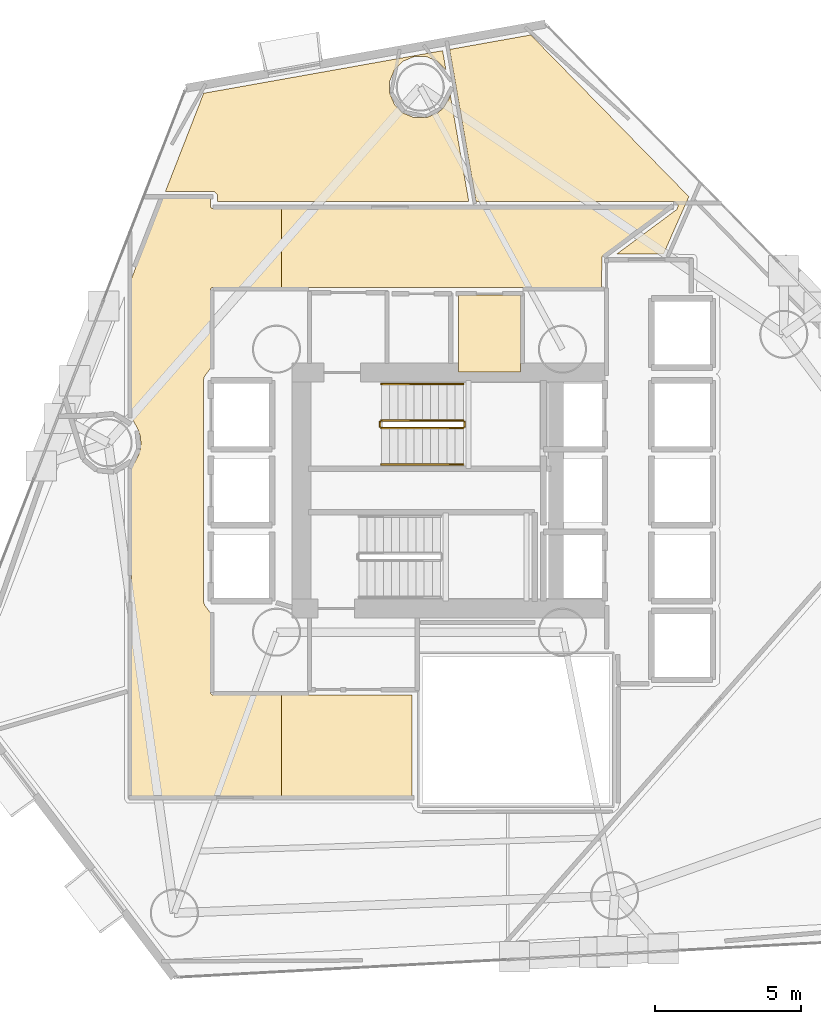
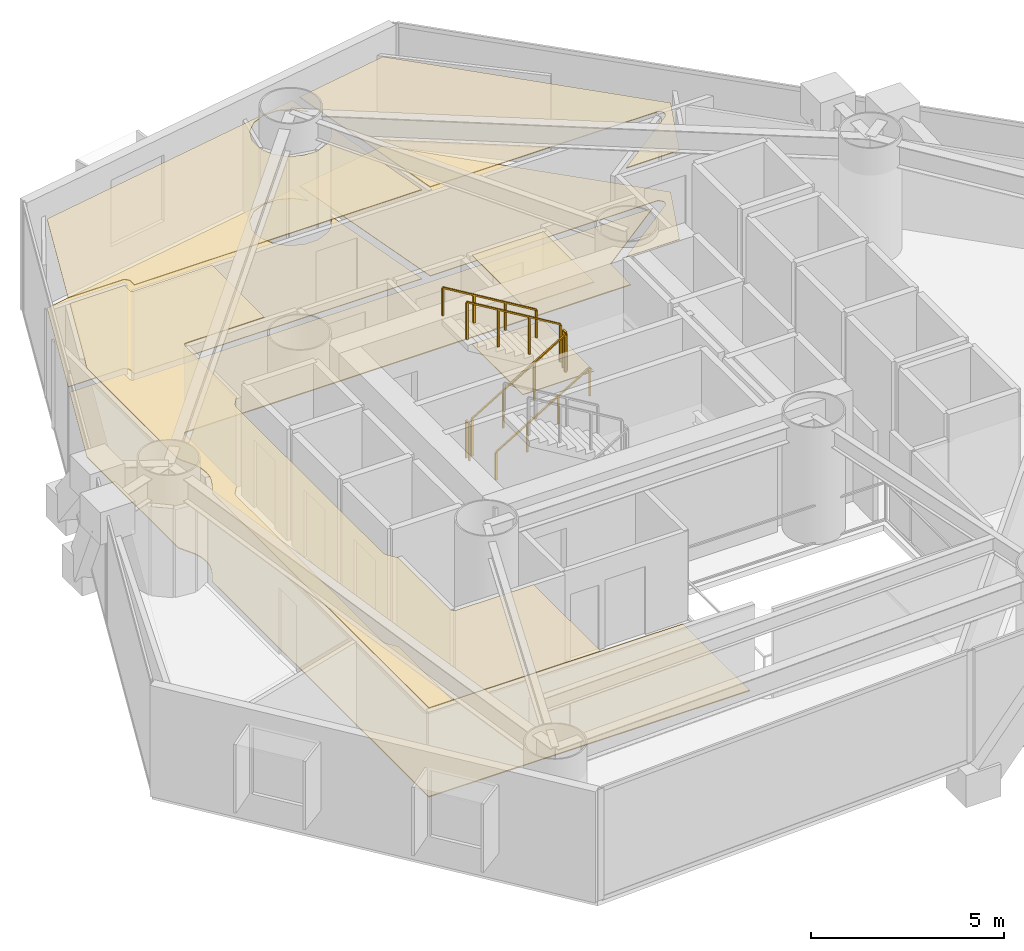
# One storey, part 22 of 23: 8 coverings, 6 railings.
"""IFC4 building model written with IfcOpenShell, lengths in metres."""

from ifc_helpers import new_model, si_unit, direction, frame, origin, origin_2d, place, context, subcontext, project, spatial, polyline, rectangle, outline, extrude, material, layer, layer_set, type_object, element, save


model = new_model("IFC4")

# Units and contexts
model_context = context("Model", 3, precision=1e-05, world=origin(), true_north=direction((0.0, 1.0)))
body_context = subcontext(model_context, "Body", "Model", "MODEL_VIEW")
ifc_project = project(units=[si_unit("LENGTHUNIT", "METRE"), si_unit("AREAUNIT", "SQUARE_METRE"), si_unit("VOLUMEUNIT", "CUBIC_METRE"), si_unit("PLANEANGLEUNIT", "RADIAN"), si_unit("MASSUNIT", "GRAM", prefix="KILO")], contexts=[model_context])

# Site, building, storey
site_placement = place(None, origin())
site = spatial("IfcSite", under=ifc_project, at=site_placement, CompositionType="ELEMENT")
building_placement = place(site_placement, origin())
building = spatial("IfcBuilding", under=site, at=building_placement, Name="Qianvela Tower", CompositionType="ELEMENT")
storey_placement = place(building_placement, frame((0.0, 0.0, 56.199951171875)))
storey = spatial("IfcBuildingStorey", under=building, at=storey_placement, Name="L13", CompositionType="ELEMENT", Elevation=56.199951171875)

# Coverings
ifc_material_1 = material(Name="Perforated Mineral Acoustic Ceiling Tile")
ifc_layer_1 = layer(ifc_material_1, 0.02490234375)
ifc_layer_set_1 = layer_set([ifc_layer_1], Name="Perforated Mineral Acoustic Ceiling Tile")
covering_type_1 = type_object("IfcCoveringType", Name="COV-CEIL-ACOUSTIC-25", PredefinedType="CEILING", material=ifc_layer_set_1)
covering_1_placement = place(storey_placement, frame((0.0, 0.0, 2.81494140625)))
element("IfcCovering", 1, at=covering_1_placement, inside=storey, type_object=covering_type_1, Name="L13 Acoustic Ceiling L13 Core Tea Pantry", PredefinedType="CEILING", context=body_context, shape_type="SweptSolid", body=[
    extrude(outline(polyline([(36.969970703125, 32.760009765625), (34.830078125, 32.760009765625), (34.830078125, 35.39990234375), (36.969970703125, 35.39990234375), (36.969970703125, 32.760009765625)])), origin(), (0.0, 0.0, 1.0), 0.025146484375),
])
covering_2_placement = place(storey_placement, frame((0.0, 0.0, 2.81494140625)))
element("IfcCovering", 2, at=covering_2_placement, inside=storey, type_object=covering_type_1, Name="L13 Acoustic Ceiling Bay 1 L13 Floor Corridor", PredefinedType="CEILING", context=body_context, shape_type="SweptSolid", body=[
    extrude(outline(polyline([(23.868408203125, 30.7705078125), (23.864990234375, 30.777587890625), (23.6298828125, 31.21728515625), (23.6298828125, 35.968505859375), (24.70166015625, 38.719970703125), (26.340087890625, 38.719970703125), (26.340087890625, 38.449951171875), (26.34033203125, 38.442138671875), (26.341552734375, 38.434326171875), (26.343505859375, 38.4267578125), (26.34619140625, 38.41943359375), (26.349365234375, 38.412353515625), (26.353515625, 38.405517578125), (26.358154296875, 38.399169921875), (26.36328125, 38.393310546875), (26.369140625, 38.38818359375), (26.37548828125, 38.383544921875), (26.38232421875, 38.37939453125), (26.389404296875, 38.376220703125), (26.396728515625, 38.373291015625), (26.404296875, 38.37158203125), (26.412109375, 38.370361328125), (26.419921875, 38.3701171875), (28.7705078125, 38.3701171875), (28.7705078125, 35.659912109375), (26.419921875, 35.659912109375), (26.412109375, 35.65966796875), (26.404296875, 35.658447265625), (26.396728515625, 35.656494140625), (26.389404296875, 35.65380859375), (26.38232421875, 35.650634765625), (26.37548828125, 35.646484375), (26.369140625, 35.641845703125), (26.36328125, 35.63671875), (26.358154296875, 35.630859375), (26.353515625, 35.62451171875), (26.349365234375, 35.61767578125), (26.34619140625, 35.610595703125), (26.343505859375, 35.603271484375), (26.341552734375, 35.595703125), (26.34033203125, 35.587890625), (26.340087890625, 35.580078125), (26.340087890625, 32.89599609375), (26.139404296875, 32.62548828125), (26.135498046875, 32.61962890625), (26.132080078125, 32.61376953125), (26.12939453125, 32.607421875), (26.126953125, 32.60107421875), (26.103515625, 32.523193359375), (26.1015625, 32.515625), (26.100341796875, 32.5078125), (26.10009765625, 32.5), (26.10009765625, 24.89990234375), (26.100341796875, 24.89208984375), (26.1015625, 24.884521484375), (26.103515625, 24.876708984375), (26.126953125, 24.799072265625), (26.12939453125, 24.79248046875), (26.132080078125, 24.786376953125), (26.135498046875, 24.7802734375), (26.139404296875, 24.774658203125), (26.340087890625, 24.50390625), (26.340087890625, 21.780029296875), (26.34033203125, 21.772216796875), (26.341552734375, 21.764404296875), (26.343505859375, 21.7568359375), (26.34619140625, 21.74951171875), (26.349365234375, 21.7421875), (26.353515625, 21.735595703125), (26.358154296875, 21.729248046875), (26.36328125, 21.723388671875), (26.369140625, 21.71826171875), (26.37548828125, 21.71337890625), (26.38232421875, 21.70947265625), (26.389404296875, 21.7060546875), (26.396728515625, 21.703369140625), (26.404296875, 21.701416015625), (26.412109375, 21.700439453125), (26.419921875, 21.699951171875), (28.7705078125, 21.699951171875), (28.7705078125, 18.22998046875), (23.6298828125, 18.22998046875), (23.6298828125, 29.462646484375), (23.864990234375, 29.90234375), (23.868408203125, 29.909423828125), (23.87109375, 29.9169921875), (23.930419921875, 30.11279296875), (23.932373046875, 30.12060546875), (23.93359375, 30.12841796875), (23.95361328125, 30.332275390625), (23.9541015625, 30.340087890625), (23.95361328125, 30.347900390625), (23.93359375, 30.5517578125), (23.932373046875, 30.5595703125), (23.930419921875, 30.567138671875), (23.87109375, 30.76318359375), (23.868408203125, 30.7705078125)])), origin(), (0.0, 0.0, 1.0), 0.025146484375),
])
covering_3_placement = place(storey_placement, frame((0.0, 0.0, 2.81494140625)))
element("IfcCovering", 3, at=covering_3_placement, inside=storey, type_object=covering_type_1, Name="L13 Acoustic Ceiling Media Practice Cinema L13-02", PredefinedType="CEILING", context=body_context, shape_type="SweptSolid", body=[
    extrude(outline(polyline([(34.532958984375, 43.822021484375), (37.31298828125, 44.317626953125), (42.73291015625, 38.776611328125), (41.862548828125, 36.81005859375), (40.262939453125, 36.81005859375), (42.298583984375, 38.321533203125), (42.30419921875, 38.326171875), (42.309326171875, 38.331298828125), (42.314208984375, 38.3369140625), (42.318359375, 38.343017578125), (42.322021484375, 38.349365234375), (42.324951171875, 38.35595703125), (42.356201171875, 38.43359375), (42.35888671875, 38.44140625), (42.360595703125, 38.44921875), (42.36181640625, 38.45703125), (42.36181640625, 38.465087890625), (42.361328125, 38.472900390625), (42.360107421875, 38.48095703125), (42.35791015625, 38.488525390625), (42.35498046875, 38.49609375), (42.351318359375, 38.503173828125), (42.346923828125, 38.510009765625), (42.342041015625, 38.51611328125), (42.286865234375, 38.5791015625), (42.281494140625, 38.584716796875), (42.27587890625, 38.589599609375), (42.269775390625, 38.593994140625), (42.26318359375, 38.59765625), (42.25634765625, 38.600830078125), (42.2490234375, 38.603271484375), (42.24169921875, 38.60498046875), (42.234375, 38.606201171875), (42.226806640625, 38.6064453125), (35.43701171875, 38.610107421875), (34.532958984375, 43.822021484375)])), origin(), (0.0, 0.0, 1.0), 0.025146484375),
])
covering_4_placement = place(storey_placement, frame((0.0, 0.0, 2.81494140625)))
element("IfcCovering", 4, at=covering_4_placement, inside=storey, type_object=covering_type_1, Name="L13 Acoustic Ceiling Student Fitness Gym L13-03", PredefinedType="CEILING", context=body_context, shape_type="SweptSolid", body=[
    extrude(outline(polyline([(24.795166015625, 38.9599609375), (26.103759765625, 42.319580078125), (34.292724609375, 43.779296875), (34.405517578125, 43.12841796875), (34.401611328125, 43.1328125), (34.1298828125, 43.404541015625), (34.1240234375, 43.409912109375), (34.11767578125, 43.41455078125), (34.11083984375, 43.418701171875), (34.10400390625, 43.421875), (33.748779296875, 43.569091796875), (33.741455078125, 43.571533203125), (33.73388671875, 43.573486328125), (33.72607421875, 43.57470703125), (33.71826171875, 43.5751953125), (33.333740234375, 43.5751953125), (33.325927734375, 43.57470703125), (33.318115234375, 43.573486328125), (33.310546875, 43.571533203125), (33.30322265625, 43.569091796875), (32.947998046875, 43.421875), (32.941162109375, 43.418701171875), (32.934326171875, 43.41455078125), (32.927978515625, 43.409912109375), (32.922119140625, 43.404541015625), (32.650390625, 43.1328125), (32.645263671875, 43.126953125), (32.640380859375, 43.12060546875), (32.636474609375, 43.114013671875), (32.633056640625, 43.10693359375), (32.486083984375, 42.751708984375), (32.4833984375, 42.744384765625), (32.4814453125, 42.73681640625), (32.480224609375, 42.72900390625), (32.47998046875, 42.72119140625), (32.47998046875, 42.3369140625), (32.480224609375, 42.3291015625), (32.4814453125, 42.3212890625), (32.4833984375, 42.313720703125), (32.486083984375, 42.30615234375), (32.633056640625, 41.951171875), (32.636474609375, 41.944091796875), (32.640380859375, 41.937255859375), (32.645263671875, 41.930908203125), (32.650390625, 41.92529296875), (32.922119140625, 41.6533203125), (32.927978515625, 41.648193359375), (32.934326171875, 41.6435546875), (32.941162109375, 41.639404296875), (32.947998046875, 41.635986328125), (33.30322265625, 41.489013671875), (33.310546875, 41.486328125), (33.318115234375, 41.484619140625), (33.325927734375, 41.4833984375), (33.333740234375, 41.48291015625), (33.71826171875, 41.48291015625), (33.72607421875, 41.4833984375), (33.73388671875, 41.484619140625), (33.741455078125, 41.486328125), (33.748779296875, 41.489013671875), (34.10400390625, 41.635986328125), (34.11083984375, 41.639404296875), (34.11767578125, 41.6435546875), (34.1240234375, 41.648193359375), (34.273193359375, 41.770751953125), (34.279052734375, 41.77587890625), (34.2841796875, 41.78173828125), (34.2890625, 41.7880859375), (34.50244140625, 42.107666015625), (34.506591796875, 42.1142578125), (34.510009765625, 42.121337890625), (34.5126953125, 42.12890625), (34.5546875, 42.26806640625), (35.189208984375, 38.610107421875), (26.57958984375, 38.610107421875), (26.57861328125, 38.81591796875), (26.577880859375, 38.82373046875), (26.576904296875, 38.83154296875), (26.574951171875, 38.839111328125), (26.572265625, 38.846435546875), (26.56884765625, 38.853515625), (26.56494140625, 38.860107421875), (26.560302734375, 38.866455078125), (26.554931640625, 38.872314453125), (26.4921875, 38.93505859375), (26.486328125, 38.940185546875), (26.47998046875, 38.945068359375), (26.473388671875, 38.948974609375), (26.46630859375, 38.952392578125), (26.458984375, 38.955078125), (26.451416015625, 38.956787109375), (26.443603515625, 38.9580078125), (26.435791015625, 38.95849609375), (24.795166015625, 38.9599609375)])), origin(), (0.0, 0.0, 1.0), 0.025146484375),
])
ifc_material_2 = material(Name="Engineered Acoustic Oak Timber Flooring", Category="wood")
ifc_layer_2 = layer(ifc_material_2, 0.02001953125)
ifc_layer_set_2 = layer_set([ifc_layer_2], Name="Engineered Acoustic Oak Timber Flooring")
covering_type_2 = type_object("IfcCoveringType", Name="COV-FLOOR-OAK-20", PredefinedType="FLOORING", material=ifc_layer_set_2)
covering_5_placement = place(storey_placement, origin())
element("IfcCovering", 5, at=covering_5_placement, inside=storey, type_object=covering_type_2, Name="L13 Finish Flooring L13 Core Tea Pantry", PredefinedType="FLOORING", context=body_context, shape_type="SweptSolid", body=[
    extrude(outline(polyline([(36.969970703125, 32.760009765625), (34.830078125, 32.760009765625), (34.830078125, 35.39990234375), (36.969970703125, 35.39990234375), (36.969970703125, 32.760009765625)])), origin(), (0.0, 0.0, 1.0), 0.02001953125),
])
covering_6_placement = place(storey_placement, origin())
element("IfcCovering", 6, at=covering_6_placement, inside=storey, type_object=covering_type_2, Name="L13 Finish Flooring Media Practice Cinema L13-02", PredefinedType="FLOORING", context=body_context, shape_type="SweptSolid", body=[
    extrude(outline(polyline([(34.532958984375, 43.822021484375), (37.31298828125, 44.317626953125), (42.73291015625, 38.776611328125), (41.862548828125, 36.81005859375), (40.262939453125, 36.81005859375), (42.298583984375, 38.321533203125), (42.30419921875, 38.326171875), (42.309326171875, 38.331298828125), (42.314208984375, 38.3369140625), (42.318359375, 38.343017578125), (42.322021484375, 38.349365234375), (42.324951171875, 38.35595703125), (42.356201171875, 38.43359375), (42.35888671875, 38.44140625), (42.360595703125, 38.44921875), (42.36181640625, 38.45703125), (42.36181640625, 38.465087890625), (42.361328125, 38.472900390625), (42.360107421875, 38.48095703125), (42.35791015625, 38.488525390625), (42.35498046875, 38.49609375), (42.351318359375, 38.503173828125), (42.346923828125, 38.510009765625), (42.342041015625, 38.51611328125), (42.286865234375, 38.5791015625), (42.281494140625, 38.584716796875), (42.27587890625, 38.589599609375), (42.269775390625, 38.593994140625), (42.26318359375, 38.59765625), (42.25634765625, 38.600830078125), (42.2490234375, 38.603271484375), (42.24169921875, 38.60498046875), (42.234375, 38.606201171875), (42.226806640625, 38.6064453125), (35.43701171875, 38.610107421875), (34.532958984375, 43.822021484375)])), origin(), (0.0, 0.0, 1.0), 0.02001953125),
])
covering_7_placement = place(storey_placement, origin())
element("IfcCovering", 7, at=covering_7_placement, inside=storey, type_object=covering_type_2, Name="L13 Finish Flooring Student Fitness Gym L13-03", PredefinedType="FLOORING", context=body_context, shape_type="SweptSolid", body=[
    extrude(outline(polyline([(24.795166015625, 38.9599609375), (26.103759765625, 42.319580078125), (34.292724609375, 43.779296875), (34.405517578125, 43.12841796875), (34.401611328125, 43.1328125), (34.1298828125, 43.404541015625), (34.1240234375, 43.409912109375), (34.11767578125, 43.41455078125), (34.11083984375, 43.418701171875), (34.10400390625, 43.421875), (33.748779296875, 43.569091796875), (33.741455078125, 43.571533203125), (33.73388671875, 43.573486328125), (33.72607421875, 43.57470703125), (33.71826171875, 43.5751953125), (33.333740234375, 43.5751953125), (33.325927734375, 43.57470703125), (33.318115234375, 43.573486328125), (33.310546875, 43.571533203125), (33.30322265625, 43.569091796875), (32.947998046875, 43.421875), (32.941162109375, 43.418701171875), (32.934326171875, 43.41455078125), (32.927978515625, 43.409912109375), (32.922119140625, 43.404541015625), (32.650390625, 43.1328125), (32.645263671875, 43.126953125), (32.640380859375, 43.12060546875), (32.636474609375, 43.114013671875), (32.633056640625, 43.10693359375), (32.486083984375, 42.751708984375), (32.4833984375, 42.744384765625), (32.4814453125, 42.73681640625), (32.480224609375, 42.72900390625), (32.47998046875, 42.72119140625), (32.47998046875, 42.3369140625), (32.480224609375, 42.3291015625), (32.4814453125, 42.3212890625), (32.4833984375, 42.313720703125), (32.486083984375, 42.30615234375), (32.633056640625, 41.951171875), (32.636474609375, 41.944091796875), (32.640380859375, 41.937255859375), (32.645263671875, 41.930908203125), (32.650390625, 41.92529296875), (32.922119140625, 41.6533203125), (32.927978515625, 41.648193359375), (32.934326171875, 41.6435546875), (32.941162109375, 41.639404296875), (32.947998046875, 41.635986328125), (33.30322265625, 41.489013671875), (33.310546875, 41.486328125), (33.318115234375, 41.484619140625), (33.325927734375, 41.4833984375), (33.333740234375, 41.48291015625), (33.71826171875, 41.48291015625), (33.72607421875, 41.4833984375), (33.73388671875, 41.484619140625), (33.741455078125, 41.486328125), (33.748779296875, 41.489013671875), (34.10400390625, 41.635986328125), (34.11083984375, 41.639404296875), (34.11767578125, 41.6435546875), (34.1240234375, 41.648193359375), (34.273193359375, 41.770751953125), (34.279052734375, 41.77587890625), (34.2841796875, 41.78173828125), (34.2890625, 41.7880859375), (34.50244140625, 42.107666015625), (34.506591796875, 42.1142578125), (34.510009765625, 42.121337890625), (34.5126953125, 42.12890625), (34.5546875, 42.26806640625), (35.189208984375, 38.610107421875), (26.57958984375, 38.610107421875), (26.57861328125, 38.81591796875), (26.577880859375, 38.82373046875), (26.576904296875, 38.83154296875), (26.574951171875, 38.839111328125), (26.572265625, 38.846435546875), (26.56884765625, 38.853515625), (26.56494140625, 38.860107421875), (26.560302734375, 38.866455078125), (26.554931640625, 38.872314453125), (26.4921875, 38.93505859375), (26.486328125, 38.940185546875), (26.47998046875, 38.945068359375), (26.473388671875, 38.948974609375), (26.46630859375, 38.952392578125), (26.458984375, 38.955078125), (26.451416015625, 38.956787109375), (26.443603515625, 38.9580078125), (26.435791015625, 38.95849609375), (24.795166015625, 38.9599609375)])), origin(), (0.0, 0.0, 1.0), 0.02001953125),
])
ifc_material_3 = material(Name="Honed Stone Terrazzo Flooring", Category="masonry")
ifc_layer_3 = layer(ifc_material_3, 0.030029296875)
ifc_layer_set_3 = layer_set([ifc_layer_3], Name="Honed Stone Terrazzo Flooring")
covering_type_3 = type_object("IfcCoveringType", Name="COV-FLOOR-TERRAZZO-30", PredefinedType="FLOORING", material=ifc_layer_set_3)
covering_8_placement = place(storey_placement, origin())
element("IfcCovering", 8, at=covering_8_placement, inside=storey, type_object=covering_type_3, Name="L13 Finish Flooring L13 Floor Corridor", PredefinedType="FLOORING", context=body_context, shape_type="SweptSolid", body=[
    extrude(outline(polyline([(23.87109375, 30.76318359375), (23.868408203125, 30.7705078125), (23.864990234375, 30.777587890625), (23.6298828125, 31.21728515625), (23.6298828125, 35.968505859375), (24.70166015625, 38.719970703125), (26.340087890625, 38.719970703125), (26.340087890625, 38.449951171875), (26.34033203125, 38.442138671875), (26.341552734375, 38.434326171875), (26.343505859375, 38.4267578125), (26.34619140625, 38.41943359375), (26.349365234375, 38.412353515625), (26.353515625, 38.405517578125), (26.358154296875, 38.399169921875), (26.36328125, 38.393310546875), (26.369140625, 38.38818359375), (26.37548828125, 38.383544921875), (26.38232421875, 38.37939453125), (26.389404296875, 38.376220703125), (26.396728515625, 38.373291015625), (26.404296875, 38.37158203125), (26.412109375, 38.370361328125), (26.419921875, 38.3701171875), (41.961181640625, 38.3701171875), (39.784423828125, 36.753662109375), (39.778076171875, 36.748291015625), (39.772216796875, 36.742431640625), (39.76708984375, 36.736083984375), (39.7626953125, 36.729248046875), (39.759033203125, 36.721923828125), (39.756103515625, 36.71435546875), (39.75390625, 36.70654296875), (39.752685546875, 36.698486328125), (39.752197265625, 36.690185546875), (39.739013671875, 35.659912109375), (26.419921875, 35.659912109375), (26.412109375, 35.65966796875), (26.404296875, 35.658447265625), (26.396728515625, 35.656494140625), (26.389404296875, 35.65380859375), (26.38232421875, 35.650634765625), (26.37548828125, 35.646484375), (26.369140625, 35.641845703125), (26.36328125, 35.63671875), (26.358154296875, 35.630859375), (26.353515625, 35.62451171875), (26.349365234375, 35.61767578125), (26.34619140625, 35.610595703125), (26.343505859375, 35.603271484375), (26.341552734375, 35.595703125), (26.34033203125, 35.587890625), (26.340087890625, 35.580078125), (26.340087890625, 32.89599609375), (26.139404296875, 32.62548828125), (26.135498046875, 32.61962890625), (26.132080078125, 32.61376953125), (26.12939453125, 32.607421875), (26.126953125, 32.60107421875), (26.103515625, 32.523193359375), (26.1015625, 32.515625), (26.100341796875, 32.5078125), (26.10009765625, 32.5), (26.10009765625, 24.89990234375), (26.100341796875, 24.89208984375), (26.1015625, 24.884521484375), (26.103515625, 24.876708984375), (26.126953125, 24.799072265625), (26.12939453125, 24.79248046875), (26.132080078125, 24.786376953125), (26.135498046875, 24.7802734375), (26.139404296875, 24.774658203125), (26.340087890625, 24.50390625), (26.340087890625, 21.780029296875), (26.34033203125, 21.772216796875), (26.341552734375, 21.764404296875), (26.343505859375, 21.7568359375), (26.34619140625, 21.74951171875), (26.349365234375, 21.7421875), (26.353515625, 21.735595703125), (26.358154296875, 21.729248046875), (26.36328125, 21.723388671875), (26.369140625, 21.71826171875), (26.37548828125, 21.71337890625), (26.38232421875, 21.70947265625), (26.389404296875, 21.7060546875), (26.396728515625, 21.703369140625), (26.404296875, 21.701416015625), (26.412109375, 21.700439453125), (26.419921875, 21.699951171875), (33.239990234375, 21.699951171875), (33.239990234375, 18.22998046875), (23.6298828125, 18.22998046875), (23.6298828125, 29.462646484375), (23.864990234375, 29.90234375), (23.868408203125, 29.909423828125), (23.87109375, 29.9169921875), (23.930419921875, 30.11279296875), (23.932373046875, 30.12060546875), (23.93359375, 30.12841796875), (23.95361328125, 30.332275390625), (23.9541015625, 30.340087890625), (23.95361328125, 30.347900390625), (23.93359375, 30.5517578125), (23.932373046875, 30.5595703125), (23.930419921875, 30.567138671875), (23.87109375, 30.76318359375)])), origin(), (0.0, 0.0, 1.0), 0.030029296875),
])

# Railings
ifc_material_4 = material(Name="Painted Tubular Steel Q355B", Category="steel")
railing_type_1 = type_object("IfcRailingType", Name="RL-STAIR-GUARD-1200", PredefinedType="GUARDRAIL", material=ifc_material_4)
railing_1_placement = place(storey_placement, frame((32.199951171875, 30.840087890625, 0.168212890625)))
element("IfcRailing", 9, at=railing_1_placement, inside=storey, type_object=railing_type_1, Name="L13 ST-1 stair guard 1", PredefinedType="GUARDRAIL", context=body_context, shape_type="SweptSolid", body=[
    extrude(rectangle(XDim=0.050048828125, YDim=0.0400390625, at=origin_2d()), frame((0.0, 0.0, 1.179931640625), z_axis=(0.857242210791, 0.0, 0.514913383045), x_axis=(0.0, 1.0, 0.0)), (0.0, 0.0, 1.0), 3.266357421875),
    extrude(rectangle(XDim=0.050048828125, YDim=0.050048828125, at=origin_2d()), origin(), (0.0, 0.0, 1.0), 1.159912109375),
    extrude(rectangle(XDim=0.050048828125, YDim=0.050048828125, at=origin_2d()), frame((0.933349609375, 0.0, 0.560546875)), (0.0, 0.0, 1.0), 1.159912109375),
    extrude(rectangle(XDim=0.050048828125, YDim=0.050048828125, at=origin_2d()), frame((1.86669921875, 0.0, 1.121337890625)), (0.0, 0.0, 1.0), 1.159912109375),
    extrude(rectangle(XDim=0.050048828125, YDim=0.050048828125, at=origin_2d()), frame((2.800048828125, 0.0, 1.681884765625)), (0.0, 0.0, 1.0), 1.159912109375),
])
railing_2_placement = place(storey_placement, frame((35.050048828125, 30.889892578125, 1.85009765625)))
element("IfcRailing", 10, at=railing_2_placement, inside=storey, type_object=railing_type_1, Name="L13 ST-1 stair guard 2", PredefinedType="GUARDRAIL", context=body_context, shape_type="SweptSolid", body=[
    extrude(rectangle(XDim=0.050048828125, YDim=0.0400390625, at=origin_2d()), frame((0.0, 0.0, 1.179931640625), z_axis=(0.0, 1.0, 0.0), x_axis=(-1.0, 0.0, 0.0)), (0.0, 0.0, 1.0), 0.16015625),
    extrude(rectangle(XDim=0.050048828125, YDim=0.050048828125, at=origin_2d()), origin(), (0.0, 0.0, 1.0), 1.159912109375),
    extrude(rectangle(XDim=0.050048828125, YDim=0.050048828125, at=origin_2d()), frame((0.0, 0.16015625, 0.0)), (0.0, 0.0, 1.0), 1.159912109375),
])
railing_3_placement = place(storey_placement, frame((35.0, 31.10009765625, 2.018310546875)))
element("IfcRailing", 11, at=railing_3_placement, inside=storey, type_object=railing_type_1, Name="L13 ST-1 stair guard 3", PredefinedType="GUARDRAIL", context=body_context, shape_type="SweptSolid", body=[
    extrude(rectangle(XDim=0.050048828125, YDim=0.0400390625, at=origin_2d()), frame((0.0, 0.0, 1.179931640625), z_axis=(-0.857275202839, 0.0, 0.514858452973), x_axis=(0.0, -1.0, 0.0)), (0.0, 0.0, 1.0), 3.26611328125),
    extrude(rectangle(XDim=0.050048828125, YDim=0.050048828125, at=origin_2d()), origin(), (0.0, 0.0, 1.0), 1.159912109375),
    extrude(rectangle(XDim=0.050048828125, YDim=0.050048828125, at=origin_2d()), frame((-0.933349609375, 0.0, 0.560546875)), (0.0, 0.0, 1.0), 1.159912109375),
    extrude(rectangle(XDim=0.050048828125, YDim=0.050048828125, at=origin_2d()), frame((-1.86669921875, 0.0, 1.12109375)), (0.0, 0.0, 1.0), 1.159912109375),
    extrude(rectangle(XDim=0.050048828125, YDim=0.050048828125, at=origin_2d()), frame((-2.800048828125, 0.0, 1.681640625)), (0.0, 0.0, 1.0), 1.159912109375),
])
railing_4_placement = place(storey_placement, frame((32.14990234375, 30.889892578125, 0.0)))
element("IfcRailing", 12, at=railing_4_placement, inside=storey, type_object=railing_type_1, Name="L13 ST-1 stair guard 4", PredefinedType="GUARDRAIL", context=body_context, shape_type="SweptSolid", body=[
    extrude(rectangle(XDim=0.050048828125, YDim=0.0400390625, at=origin_2d()), frame((0.0, 0.0, 1.179931640625), z_axis=(0.0, 1.0, 0.0), x_axis=(-1.0, 0.0, 0.0)), (0.0, 0.0, 1.0), 0.16015625),
    extrude(rectangle(XDim=0.050048828125, YDim=0.050048828125, at=origin_2d()), origin(), (0.0, 0.0, 1.0), 1.159912109375),
    extrude(rectangle(XDim=0.050048828125, YDim=0.050048828125, at=origin_2d()), frame((0.0, 0.16015625, 0.0)), (0.0, 0.0, 1.0), 1.159912109375),
])
ifc_material_5 = material(Name="Brushed Stainless Steel 304", Category="steel")
railing_type_2 = type_object("IfcRailingType", Name="RL-STAIR-HANDRAIL-900", PredefinedType="HANDRAIL", material=ifc_material_5)
railing_5_placement = place(storey_placement, frame((32.199951171875, 29.590087890625, 0.168212890625)))
element("IfcRailing", 13, at=railing_5_placement, inside=storey, type_object=railing_type_2, Name="L13 ST-1 stair handrail 1", PredefinedType="HANDRAIL", context=body_context, shape_type="SweptSolid", body=[
    extrude(rectangle(XDim=0.050048828125, YDim=0.0400390625, at=origin_2d()), frame((0.0, 0.0, 0.8798828125), z_axis=(0.857242210791, 0.0, 0.514913383045), x_axis=(0.0, 1.0, 0.0)), (0.0, 0.0, 1.0), 3.266357421875),
    extrude(rectangle(XDim=0.050048828125, YDim=0.050048828125, at=origin_2d()), origin(), (0.0, 0.0, 1.0), 0.85986328125),
    extrude(rectangle(XDim=0.050048828125, YDim=0.050048828125, at=origin_2d()), frame((0.933349609375, 0.0, 0.560546875)), (0.0, 0.0, 1.0), 0.85986328125),
    extrude(rectangle(XDim=0.050048828125, YDim=0.050048828125, at=origin_2d()), frame((1.86669921875, 0.0, 1.121337890625)), (0.0, 0.0, 1.0), 0.85986328125),
    extrude(rectangle(XDim=0.050048828125, YDim=0.050048828125, at=origin_2d()), frame((2.800048828125, 0.0, 1.681884765625)), (0.0, 0.0, 1.0), 0.85986328125),
])
railing_6_placement = place(storey_placement, frame((35.0, 32.35009765625, 2.018310546875)))
element("IfcRailing", 14, at=railing_6_placement, inside=storey, type_object=railing_type_2, Name="L13 ST-1 stair handrail 2", PredefinedType="HANDRAIL", context=body_context, shape_type="SweptSolid", body=[
    extrude(rectangle(XDim=0.050048828125, YDim=0.0400390625, at=origin_2d()), frame((0.0, 0.0, 0.8798828125), z_axis=(-0.857275202839, 0.0, 0.514858452973), x_axis=(0.0, -1.0, 0.0)), (0.0, 0.0, 1.0), 3.26611328125),
    extrude(rectangle(XDim=0.050048828125, YDim=0.050048828125, at=origin_2d()), origin(), (0.0, 0.0, 1.0), 0.85986328125),
    extrude(rectangle(XDim=0.050048828125, YDim=0.050048828125, at=origin_2d()), frame((-0.933349609375, 0.0, 0.560546875)), (0.0, 0.0, 1.0), 0.85986328125),
    extrude(rectangle(XDim=0.050048828125, YDim=0.050048828125, at=origin_2d()), frame((-1.86669921875, 0.0, 1.12109375)), (0.0, 0.0, 1.0), 0.85986328125),
    extrude(rectangle(XDim=0.050048828125, YDim=0.050048828125, at=origin_2d()), frame((-2.800048828125, 0.0, 1.681640625)), (0.0, 0.0, 1.0), 0.85986328125),
])

save(model, "model.ifc")
